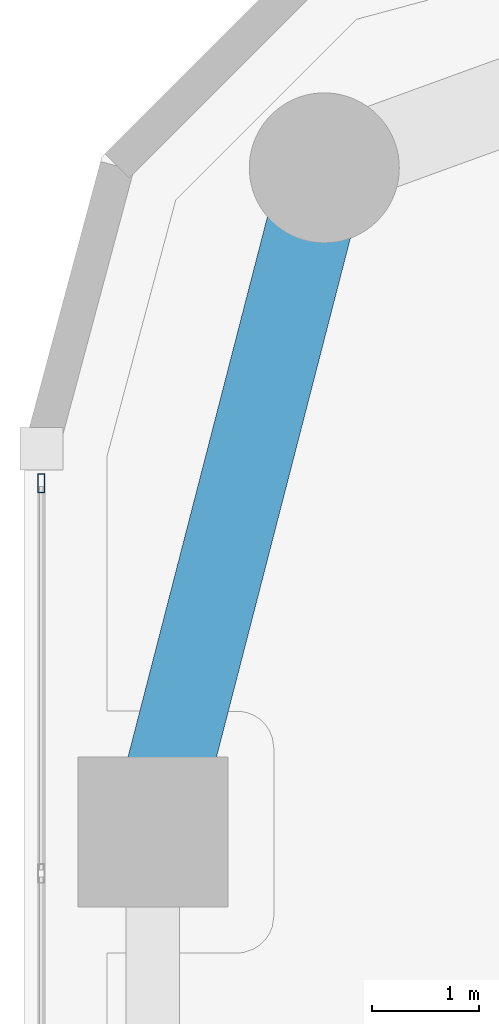
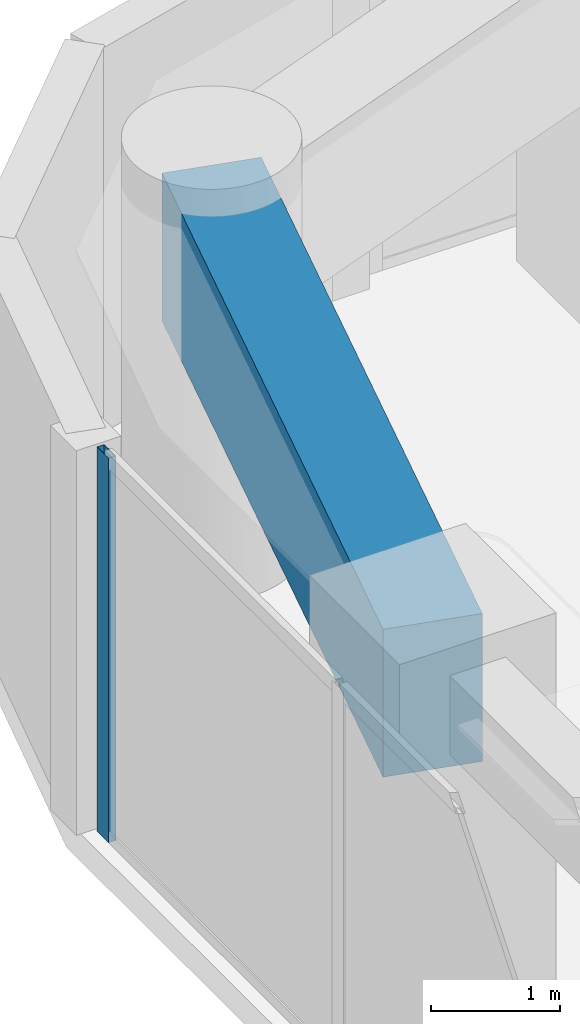
# One storey, part 11 of 24: 1 beam, 1 member, 1 element without a shape of its own.
"""IFC4 building model written with IfcOpenShell, lengths in metres."""

from ifc_helpers import new_model, si_unit, direction, frame, origin, origin_2d, place, context, subcontext, project, spatial, rectangle, hollow_rectangle, extrude, material, layer, layer_set, material_profile, profile_set, type_object, element, aggregate, save


model = new_model("IFC4")

# Units and contexts
model_context = context("Model", 3, precision=1e-05, world=origin(), true_north=direction((0.0, 1.0)))
body_context = subcontext(model_context, "Body", "Model", "MODEL_VIEW")
ifc_project = project(units=[si_unit("LENGTHUNIT", "METRE"), si_unit("AREAUNIT", "SQUARE_METRE"), si_unit("VOLUMEUNIT", "CUBIC_METRE"), si_unit("PLANEANGLEUNIT", "RADIAN"), si_unit("MASSUNIT", "GRAM", prefix="KILO")], contexts=[model_context])

# Site, building, storey
site_placement = place(None, origin())
site = spatial("IfcSite", under=ifc_project, at=site_placement, CompositionType="ELEMENT")
building_placement = place(site_placement, origin())
building = spatial("IfcBuilding", under=site, at=building_placement, Name="Kiyonajd Concourse Tower", CompositionType="ELEMENT")
storey_placement = place(building_placement, frame((0.0, 0.0, 129.89990234375)))
storey = spatial("IfcBuildingStorey", under=building, at=storey_placement, Name="L33", CompositionType="ELEMENT", Elevation=129.89990234375)

# Beam
ifc_material_1 = material(Name="Concrete C60/75", Category="concrete")
ifc_material_profile_1 = material_profile(ifc_material_1, rectangle(XDim=0.800048828125, YDim=1.39990234375, at=origin_2d()), Name="RCBM-800x1400")
ifc_profile_set_1 = profile_set([ifc_material_profile_1], Name="Concrete C60/75")
beam_type = type_object("IfcBeamType", Name="BM-XFER-RC", PredefinedType="BEAM", material=ifc_profile_set_1)
beam_placement = place(storey_placement, frame((20.800048828125, 59.60009765625, 2.940185546875), z_axis=(-0.249884937687, -0.968275538221, 0.0), x_axis=(0.968275538221, -0.249884937687, 0.0)))
element("IfcBeam", 1, at=beam_placement, inside=storey, type_object=beam_type, Name="L33 Perimeter Bundled Tube Spandrel", PredefinedType="BEAM", context=body_context, shape_type="SweptSolid", body=[
    extrude(rectangle(XDim=0.800048828125, YDim=1.39990234375, at=origin_2d()), origin(), (0.0, 0.0, 1.0), 6.4033203125),
])

# Curtain wall, member
ifc_material_2 = material(Name="Thermally Broken Anodised Aluminium", Category="aluminium")
ifc_layer = layer(ifc_material_2, 0.179931640625)
ifc_layer_set = layer_set([ifc_layer], Name="Thermally Broken Anodised Aluminium")
curtain_wall_type = type_object("IfcCurtainWallType", Name="CW-SYS-03", PredefinedType="NOTDEFINED", material=ifc_layer_set)
curtain_wall_placement = place(storey_placement, origin())
curtain_wall = element("IfcCurtainWall", 2, at=curtain_wall_placement, inside=storey, type_object=curtain_wall_type, Name="L33 Unitised Curtain Wall CW3", PredefinedType="NOTDEFINED")
ifc_material_profile_2 = material_profile(ifc_material_2, hollow_rectangle(XDim=0.06494140625, YDim=0.179931640625, WallThickness=0.00390625, at=origin_2d()), Name="MULL-65x180")
ifc_profile_set_2 = profile_set([ifc_material_profile_2], Name="Thermally Broken Anodised Aluminium")
member_type = type_object("IfcMemberType", Name="MB-CW-MULL1", PredefinedType="MULLION", material=ifc_profile_set_2)
member_placement = place(storey_placement, frame((18.159912109375, 56.656494140625, 0.0), z_axis=(0.0, 0.0, 1.0), x_axis=(-1.0, 0.0, 0.0)))
member = element("IfcMember", 3, at=member_placement, type_object=member_type, Name="CW3 mullion 7", PredefinedType="MULLION", context=body_context, shape_type="SweptSolid", body=[
    extrude(hollow_rectangle(XDim=0.06494140625, YDim=0.179931640625, WallThickness=0.00390625, at=origin_2d()), origin(), (0.0, 0.0, 1.0), 3.64013671875),
])
aggregate(curtain_wall, [member])

save(model, "model.ifc")
